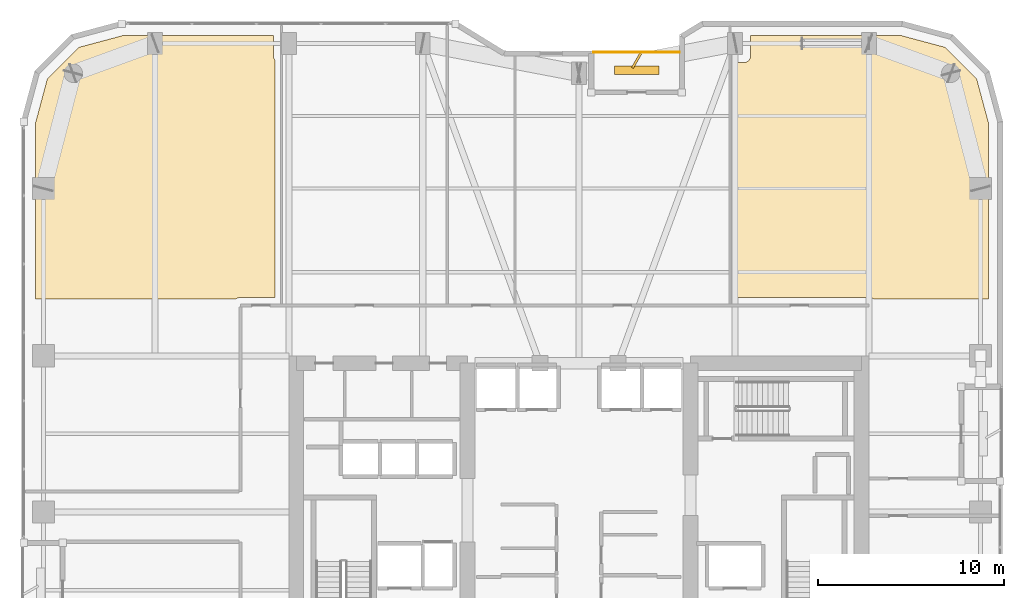
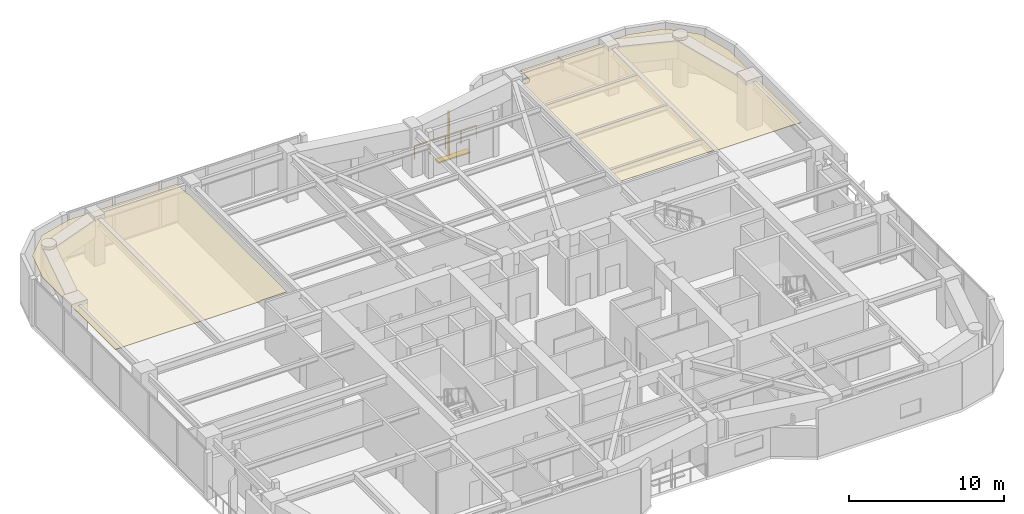
# One storey, part 30 of 30: 2 coverings, 2 shading devices, 1 railing.
"""IFC4 building model written with IfcOpenShell, lengths in metres."""

import ifcopenshell
import ifcopenshell.guid

model = None  # the IFC model being written
_history = None  # IfcOwnerHistory: only IFC2X3 demands one
_inside = {}  # id of a spatial element -> (the spatial element, [elements in it])
_under = {}  # id of a project, library or spatial element -> (it, [spatial elements below it])
_declared = {}  # id of a project -> (the project, [libraries it declares])
_typed = {}  # id of a type object -> (the type object, [elements of that type])
_made_of = {}  # id of a material, layer set ... -> (it, [elements and type objects made of it])


def new_model(schema):
    """Start an empty IFC model of exactly this schema.

    Asked for "IFC4X3", IfcOpenShell would pick the latest addendum, in which some entities
    have other attributes; the version numbers below select the first issue.
    IFC2X3 requires an IfcOwnerHistory on every rooted entity: one is made here for all.
    """
    global model, _history
    if schema == "IFC4X3":
        model = ifcopenshell.file(schema_version=(4, 3, 0, 0))
    else:
        model = ifcopenshell.file(schema=schema)
    _inside.clear()
    _under.clear()
    _declared.clear()
    _typed.clear()
    _made_of.clear()
    _history = None
    if model.schema == "IFC2X3":
        org = make("IfcOrganization", Name="unknown")
        user = make(
            "IfcPersonAndOrganization",
            ThePerson=make("IfcPerson", FamilyName="unknown"),
            TheOrganization=org,
        )
        app = make(
            "IfcApplication",
            ApplicationDeveloper=org,
            Version="unknown",
            ApplicationFullName="unknown",
            ApplicationIdentifier="unknown",
        )
        _history = make(
            "IfcOwnerHistory",
            OwningUser=user,
            OwningApplication=app,
            ChangeAction="ADDED",
            CreationDate=0,
        )
    return model


def make(cls, **values):
    """One entity of the class cls with the attributes given. An attribute that is None is left unset."""
    return model.create_entity(
        cls, **{name: value for name, value in values.items() if value is not None}
    )


def rooted(cls, **values):
    """An entity with a GlobalId (a new one), such as an element, a storey or a relation."""
    return make(cls, GlobalId=ifcopenshell.guid.new(), OwnerHistory=_history, **values)


def si_unit(unit_type, name, prefix=None):
    """IfcSIUnit, for example si_unit("LENGTHUNIT", "METRE", prefix="MILLI")."""
    return make("IfcSIUnit", UnitType=unit_type, Prefix=prefix, Name=name)


def assignment(units):
    """IfcUnitAssignment: the units of a project."""
    return None if units is None else make("IfcUnitAssignment", Units=units)


def point(xyz):
    """IfcCartesianPoint."""
    return None if xyz is None else make("IfcCartesianPoint", Coordinates=xyz)


def direction(xyz):
    """IfcDirection."""
    return None if xyz is None else make("IfcDirection", DirectionRatios=xyz)


def frame(location, z_axis=None, x_axis=None):
    """IfcAxis2Placement3D, a coordinate frame: its origin and axes. An axis left out is left unset."""
    return make(
        "IfcAxis2Placement3D",
        Location=point(location),
        Axis=direction(z_axis),
        RefDirection=direction(x_axis),
    )


def frame_2d(location, x_axis=None):
    """IfcAxis2Placement2D, a coordinate frame in the plane: its origin and x axis."""
    return make(
        "IfcAxis2Placement2D", Location=point(location), RefDirection=direction(x_axis)
    )


def origin():
    """The frame at (0, 0, 0) with its axes left unset."""
    return frame((0.0, 0.0, 0.0))


def origin_2d():
    """The frame at (0, 0) in the plane with its x axis left unset."""
    return frame_2d((0.0, 0.0))


def place(relative_to, where):
    """IfcLocalPlacement: puts the frame where relative to a parent placement (None: the world)."""
    return make(
        "IfcLocalPlacement", PlacementRelTo=relative_to, RelativePlacement=where
    )


def context(
    kind, dimensions, precision=None, world=None, true_north=None, identifier=None
):
    """IfcGeometricRepresentationContext, for example the 3D "Model" context."""
    return make(
        "IfcGeometricRepresentationContext",
        ContextIdentifier=identifier,
        ContextType=kind,
        CoordinateSpaceDimension=dimensions,
        Precision=precision,
        WorldCoordinateSystem=world,
        TrueNorth=true_north,
    )


def subcontext(parent, identifier, kind, view, scale=None):
    """IfcGeometricRepresentationSubContext, for example "Body" below "Model"."""
    return make(
        "IfcGeometricRepresentationSubContext",
        ContextIdentifier=identifier,
        ContextType=kind,
        ParentContext=parent,
        TargetScale=scale,
        TargetView=view,
    )


def project(units=None, contexts=None):
    """IfcProject with its units and contexts."""
    return rooted(
        "IfcProject",
        Name="project",
        RepresentationContexts=contexts,
        UnitsInContext=assignment(units),
    )


def spatial(cls, under=None, at=None, **own):
    """A site, building, storey or space (cls), placed at a placement, below another one or the project."""
    s = rooted(cls, ObjectPlacement=at, **own)
    if under is not None:
        _under.setdefault(under.id(), (under, []))[1].append(s)
    return s


def polyline(points):
    """IfcPolyline through the points."""
    return make("IfcPolyline", Points=[point(p) for p in points])


def profile(cls, at=None, kind="AREA", **sizes):
    """A parametric profile (cls). Its sizes go by their IFC names, for example OverallWidth=200.0."""
    return make(cls, ProfileType=kind, Position=at, **sizes)


def rectangle(**sizes):
    """IfcRectangleProfileDef."""
    return profile("IfcRectangleProfileDef", **sizes)


def outline(outer, holes=None, kind="AREA"):
    """IfcArbitraryClosedProfileDef: a profile drawn as a closed curve; with holes, ...WithVoids."""
    if holes is None:
        return make("IfcArbitraryClosedProfileDef", ProfileType=kind, OuterCurve=outer)
    return make(
        "IfcArbitraryProfileDefWithVoids",
        ProfileType=kind,
        OuterCurve=outer,
        InnerCurves=holes,
    )


def extrude(swept, where, along, depth):
    """IfcExtrudedAreaSolid: the profile swept, set in the frame where, extruded along a direction by depth."""
    return make(
        "IfcExtrudedAreaSolid",
        SweptArea=swept,
        Position=where,
        ExtrudedDirection=direction(along),
        Depth=depth,
    )


def shape(context_of_items, identifier, shape_type, items):
    """IfcShapeRepresentation: the items that make up one representation, for example the "Body"."""
    return make(
        "IfcShapeRepresentation",
        ContextOfItems=context_of_items,
        RepresentationIdentifier=identifier,
        RepresentationType=shape_type,
        Items=items,
    )


def material(Name=None, Category=None):
    """IfcMaterial."""
    return make("IfcMaterial", Name=Name, Category=Category)


def layer(
    of_material, thickness, ventilated=None, Name=None, Category=None, Priority=None
):
    """IfcMaterialLayer: one layer of a wall or slab, of a material (None: an air gap)."""
    return make(
        "IfcMaterialLayer",
        Material=of_material,
        LayerThickness=thickness,
        IsVentilated=ventilated,
        Name=Name,
        Category=Category,
        Priority=Priority,
    )


def layer_set(layers, Name=None):
    """IfcMaterialLayerSet."""
    return make("IfcMaterialLayerSet", MaterialLayers=layers, LayerSetName=Name)


def made_of(thing, what):
    """Note that an element or type object is made of a material, layer set ...; save() writes the relation."""
    if what is not None:
        _made_of.setdefault(what.id(), (what, []))[1].append(thing)
    return thing


def type_object(cls, material=None, **own):
    """A type object (cls), such as IfcWallType, which elements share."""
    return made_of(rooted(cls, **own), material)


def element(
    cls,
    number,
    at=None,
    inside=None,
    cuts=None,
    type_object=None,
    material=None,
    context=None,
    identifier="Body",
    shape_type=None,
    held_by="IfcProductDefinitionShape",
    body=None,
    shapes=None,
    **own,
):
    """One element of the class cls, such as IfcWall. Its Tag is "e" and its number.

    at: its placement. inside: the storey or other place that contains it. cuts: it is an
    opening in that element (IfcRelVoidsElement). A single representation is given by context,
    identifier, shape_type and body (its items); several are given by shapes. held_by: the class
    of the entity that holds the representations. save() writes the other relations.
    """
    e = rooted(cls, Tag="e%d" % number, ObjectPlacement=at, **own)
    if body is not None:
        shapes = [shape(context, identifier, shape_type, body)]
    if shapes is not None:
        e.Representation = make(held_by, Representations=shapes)
    if inside is not None:
        _inside.setdefault(inside.id(), (inside, []))[1].append(e)
    if cuts is not None:
        rooted(
            "IfcRelVoidsElement", RelatingBuildingElement=cuts, RelatedOpeningElement=e
        )
    if type_object is not None:
        _typed.setdefault(type_object.id(), (type_object, []))[1].append(e)
    return made_of(e, material)


def aggregate(whole, parts):
    """IfcRelAggregates: a whole, such as a stair, and the parts it consists of."""
    return rooted("IfcRelAggregates", RelatingObject=whole, RelatedObjects=parts)


def save(model, path):
    """Write the relations noted so far, then the file.

    IfcRelAggregates (storeys below a building ...), IfcRelContainedInSpatialStructure (elements
    in a storey), IfcRelDefinesByType, IfcRelAssociatesMaterial and IfcRelDeclares: one each for
    every whole, place, type object, material and project.
    """
    for whole, parts in _under.values():
        aggregate(whole, parts)
    for where, things in _inside.values():
        rooted(
            "IfcRelContainedInSpatialStructure",
            RelatedElements=things,
            RelatingStructure=where,
        )
    for kind, things in _typed.values():
        rooted("IfcRelDefinesByType", RelatedObjects=things, RelatingType=kind)
    for what, things in _made_of.values():
        rooted("IfcRelAssociatesMaterial", RelatedObjects=things, RelatingMaterial=what)
    for by, libraries in _declared.values():
        rooted("IfcRelDeclares", RelatingContext=by, RelatedDefinitions=libraries)
    model.write(path)


model = new_model("IFC4")

# Units and contexts
model_context = context("Model", 3, precision=1e-05, world=origin(), true_north=direction((0.0, 1.0)))
body_context = subcontext(model_context, "Body", "Model", "MODEL_VIEW")
ifc_project = project(units=[si_unit("LENGTHUNIT", "METRE"), si_unit("AREAUNIT", "SQUARE_METRE"), si_unit("VOLUMEUNIT", "CUBIC_METRE"), si_unit("PLANEANGLEUNIT", "RADIAN"), si_unit("MASSUNIT", "GRAM", prefix="KILO")], contexts=[model_context])

# Site, building, storey
site_placement = place(None, origin())
site = spatial("IfcSite", under=ifc_project, at=site_placement, CompositionType="ELEMENT")
building_placement = place(site_placement, origin())
building = spatial("IfcBuilding", under=site, at=building_placement, Name="Kiyonajd Concourse Tower", CompositionType="ELEMENT")
storey_placement = place(building_placement, frame((0.0, 0.0, 162.300048828125)))
storey = spatial("IfcBuildingStorey", under=building, at=storey_placement, Name="L41", CompositionType="ELEMENT", Elevation=162.300048828125)

# Coverings
ifc_material_1 = material(Name="Natural Oak Acoustic Timber Veneer", Category="wood")
ifc_layer = layer(ifc_material_1, 0.0400390625)
ifc_layer_set = layer_set([ifc_layer], Name="Natural Oak Acoustic Timber Veneer")
covering_type = type_object("IfcCoveringType", Name="CV-CLG-ACST", PredefinedType="CEILING", material=ifc_layer_set)
covering_1_placement = place(storey_placement, frame((0.0, 0.0, 3.5)))
element("IfcCovering", 1, at=covering_1_placement, inside=storey, type_object=covering_type, Name="L41-48 Room Acoustic Ceiling", PredefinedType="CEILING", context=body_context, shape_type="SweptSolid", body=[
    extrude(outline(polyline([(21.097900390625, 60.986083984375), (23.5009765625, 61.6298828125), (31.570068359375, 61.6298828125), (31.572021484375, 60.486083984375), (31.596923828125, 60.385986328125), (31.64990234375, 60.297119140625), (31.64990234375, 47.5400390625), (29.800048828125, 47.5400390625), (29.669921875, 47.52001953125), (29.60693359375, 47.493896484375), (29.552001953125, 47.4599609375), (18.77001953125, 47.4599609375), (18.77001953125, 56.89892578125), (19.4140625, 59.302001953125), (21.097900390625, 60.986083984375)])), origin(), (0.0, 0.0, 1.0), 0.0400390625),
])
covering_2_placement = place(storey_placement, frame((0.0, 0.0, 3.5)))
element("IfcCovering", 2, at=covering_2_placement, inside=storey, type_object=covering_type, Name="L41-52 Room Acoustic Ceiling", PredefinedType="CEILING", context=body_context, shape_type="SweptSolid", body=[
    extrude(outline(polyline([(57.22998046875, 61.6298828125), (65.299072265625, 61.6298828125), (67.701904296875, 60.986083984375), (69.385986328125, 59.302001953125), (70.030029296875, 56.89892578125), (70.030029296875, 47.4599609375), (63.847900390625, 47.4599609375), (63.79296875, 47.493896484375), (63.72998046875, 47.52001953125), (63.60009765625, 47.5400390625), (56.489990234375, 47.5400390625), (56.489990234375, 60.169921875), (56.8798828125, 60.169921875), (56.98193359375, 60.18505859375), (57.044921875, 60.2109375), (57.10205078125, 60.2490234375), (57.15087890625, 60.298095703125), (57.18896484375, 60.35498046875), (57.215087890625, 60.41796875), (57.22998046875, 60.52001953125), (57.22998046875, 61.6298828125)])), origin(), (0.0, 0.0, 1.0), 0.0400390625),
])

# Railing
ifc_material_2 = material(Name="Thermally Broken Anodised Aluminium", Category="aluminium")
railing_type = type_object("IfcRailingType", Name="RL-GRD-LOG", PredefinedType="GUARDRAIL", material=ifc_material_2)
railing_placement = place(storey_placement, frame((53.39990234375, 60.719970703125, 0.0)))
element("IfcRailing", 3, at=railing_placement, inside=storey, type_object=railing_type, Name="L41 Engawa Loggia Perimeter Guard LOG-N", PredefinedType="GUARDRAIL", context=body_context, shape_type="SweptSolid", body=[
    extrude(rectangle(XDim=0.048095703125, YDim=0.048095703125, at=origin_2d()), frame((0.0, 0.0, 1.076171875), z_axis=(-1.0, 0.0, 0.0), x_axis=(0.0, -1.0, 0.0)), (0.0, 0.0, 1.0), 4.599853515625),
    extrude(rectangle(XDim=0.0419921875, YDim=0.0419921875, at=origin_2d()), origin(), (0.0, 0.0, 1.0), 1.052001953125),
    extrude(rectangle(XDim=0.0419921875, YDim=0.0419921875, at=origin_2d()), frame((-1.14990234375, 0.0, 0.0)), (0.0, 0.0, 1.0), 1.052001953125),
    extrude(rectangle(XDim=0.0419921875, YDim=0.0419921875, at=origin_2d()), frame((-2.2998046875, 0.0, 0.0)), (0.0, 0.0, 1.0), 1.052001953125),
    extrude(rectangle(XDim=0.0419921875, YDim=0.0419921875, at=origin_2d()), frame((-3.449951171875, 0.0, 0.0)), (0.0, 0.0, 1.0), 1.052001953125),
    extrude(rectangle(XDim=0.0419921875, YDim=0.0419921875, at=origin_2d()), frame((-4.599853515625, 0.0, 0.0)), (0.0, 0.0, 1.0), 1.052001953125),
])

# Shading devices
ifc_material_3 = material(Name="Precast concrete C50/60", Category="concrete")
shading_device_type_1 = type_object("IfcShadingDeviceType", Name="SH-FIN-900", PredefinedType="USERDEFINED", material=ifc_material_3)
shading_device_1_placement = place(storey_placement, frame((51.10009765625, 60.27001953125, 0.0), z_axis=(0.0, 0.0, 1.0), x_axis=(0.5, 0.866025403784, 0.0)))
element("IfcShadingDevice", 4, at=shading_device_1_placement, inside=storey, type_object=shading_device_type_1, Name="L41 Angled Koshi Solar Fin LOG-N", ObjectType="FIN", PredefinedType="USERDEFINED", context=body_context, shape_type="SweptSolid", body=[
    extrude(rectangle(XDim=0.89990234375, YDim=0.1201171875, at=origin_2d()), origin(), (0.0, 0.0, 1.0), 3.0),
])
shading_device_type_2 = type_object("IfcShadingDeviceType", Name="SH-LVR-600", PredefinedType="JALOUSIE", material=ifc_material_2)
shading_device_2_placement = place(storey_placement, frame((51.10009765625, 59.75, 0.0), z_axis=(0.0, 0.0, 1.0), x_axis=(1.0, 0.0, 0.0)))
element("IfcShadingDevice", 5, at=shading_device_2_placement, inside=storey, type_object=shading_device_type_2, Name="L41 Loggia Threshold Louver LOG-N", PredefinedType="JALOUSIE", context=body_context, shape_type="SweptSolid", body=[
    extrude(rectangle(XDim=2.39990234375, YDim=0.449951171875, at=origin_2d()), origin(), (0.0, 0.0, 1.0), 0.10009765625),
])

save(model, "model.ifc")
